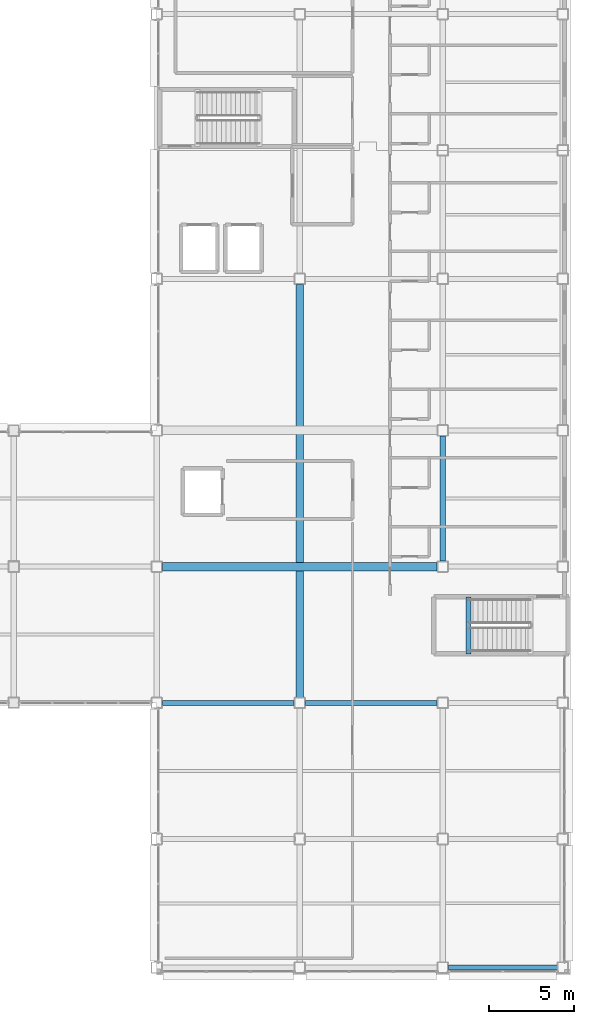
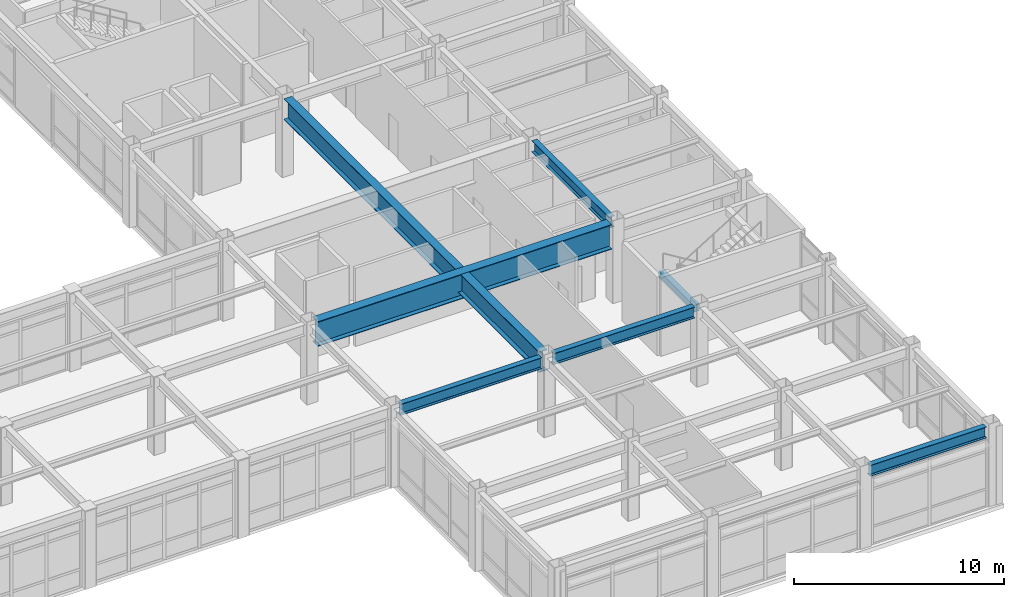
# One storey, part 52 of 93: 7 beams.
"""IFC4 building model written with IfcOpenShell, lengths in metres."""

from ifc_helpers import new_model, si_unit, direction, frame, origin, origin_2d, place, context, subcontext, project, spatial, rectangle, i_section, extrude, material, material_profile, profile_set, type_object, element, save


model = new_model("IFC4")

# Units and contexts
model_context = context("Model", 3, precision=1e-05, world=origin(), true_north=direction((0.0, 1.0)))
body_context = subcontext(model_context, "Body", "Model", "MODEL_VIEW")
ifc_project = project(units=[si_unit("LENGTHUNIT", "METRE"), si_unit("AREAUNIT", "SQUARE_METRE"), si_unit("VOLUMEUNIT", "CUBIC_METRE"), si_unit("PLANEANGLEUNIT", "RADIAN"), si_unit("MASSUNIT", "GRAM", prefix="KILO")], contexts=[model_context])

# Site, building, storey
site_placement = place(None, origin())
site = spatial("IfcSite", under=ifc_project, at=site_placement, CompositionType="ELEMENT")
building_placement = place(site_placement, origin())
building = spatial("IfcBuilding", under=site, at=building_placement, Name="Kazehara Bluff Congress Hotel", CompositionType="ELEMENT")
storey_placement = place(building_placement, frame((0.0, 0.0, 15.0)))
storey = spatial("IfcBuildingStorey", under=building, at=storey_placement, Name="L03", CompositionType="ELEMENT", Elevation=15.0)

# Beams
ifc_material_1 = material(Name="Steel SN490B", Category="steel")
ifc_material_profile_1 = material_profile(ifc_material_1, i_section(OverallWidth=0.300048828125, OverallDepth=0.64990234375, WebThickness=0.011962890625, FlangeThickness=0.02001953125, FilletRadius=0.012939453125, at=origin_2d()))
ifc_profile_set_1 = profile_set([ifc_material_profile_1], Name="Steel SN490B")
beam_type_1 = type_object("IfcBeamType", Name="TP-G-03", PredefinedType="BEAM", material=ifc_profile_set_1)
beam_1_placement = place(storey_placement, frame((160.5, 24.324951171875, 4.235107421875), z_axis=(0.0, 1.0, 0.0), x_axis=(-1.0, 0.0, 0.0)))
element("IfcBeam", 1, at=beam_1_placement, inside=storey, type_object=beam_type_1, Name="L03 girder G-03 131", PredefinedType="BEAM", context=body_context, shape_type="SweptSolid", body=[
    extrude(i_section(OverallWidth=0.300048828125, OverallDepth=0.64990234375, WebThickness=0.011962890625, FlangeThickness=0.02001953125, FilletRadius=0.012939453125, at=origin_2d()), origin(), (0.0, 0.0, 1.0), 7.35009765625),
])
beam_2_placement = place(storey_placement, frame((160.824951171875, 0.449951171875, 4.235107421875), z_axis=(1.0, 0.0, 0.0), x_axis=(0.0, 1.0, 0.0)))
element("IfcBeam", 2, at=beam_2_placement, inside=storey, type_object=beam_type_1, Name="L03 girder G-03 153", PredefinedType="BEAM", context=body_context, shape_type="SweptSolid", body=[
    extrude(i_section(OverallWidth=0.300048828125, OverallDepth=0.64990234375, WebThickness=0.011962890625, FlangeThickness=0.02001953125, FilletRadius=0.012939453125, at=origin_2d()), origin(), (0.0, 0.0, 1.0), 6.400146484375),
])
for number, where, z_axis, x_axis, name in (
    (3, (144.02490234375, 16.0, 4.235107421875), (1.0, 0.0, 0.0), (0.0, 1.0, 0.0), "L03 girder G-03 161"),
    (4, (152.425048828125, 16.0, 4.235107421875), (1.0, 0.0, 0.0), (0.0, 1.0, 0.0), "L03 girder G-03 162"),
):
    element("IfcBeam", number, at=place(storey_placement, frame(where, z_axis=z_axis, x_axis=x_axis)), inside=storey, type_object=beam_type_1, Name=name, PredefinedType="BEAM", context=body_context, shape_type="SweptSolid", body=[
        extrude(i_section(OverallWidth=0.300048828125, OverallDepth=0.64990234375, WebThickness=0.011962890625, FlangeThickness=0.02001953125, FilletRadius=0.012939453125, at=origin_2d()), origin(), (0.0, 0.0, 1.0), 7.75),
    ])
ifc_material_2 = material(Name="Steel SN490B", Category="steel")
ifc_material_profile_2 = material_profile(ifc_material_2, i_section(OverallWidth=0.449951171875, OverallDepth=1.199951171875, WebThickness=0.02001953125, FlangeThickness=0.031982421875, at=origin_2d()))
ifc_profile_set_2 = profile_set([ifc_material_profile_2], Name="Steel SN490B")
beam_type_2 = type_object("IfcBeamType", Name="TP-G-10", PredefinedType="BEAM", material=ifc_profile_set_2)
beam_3_placement = place(storey_placement, frame((152.10009765625, 16.324951171875, 3.9599609375), z_axis=(0.0, 1.0, 0.0), x_axis=(-1.0, 0.0, 0.0)))
element("IfcBeam", 5, at=beam_3_placement, inside=storey, type_object=beam_type_2, Name="L03 girder G-10 124", PredefinedType="BEAM", context=body_context, shape_type="SweptSolid", body=[
    extrude(i_section(OverallWidth=0.449951171875, OverallDepth=1.199951171875, WebThickness=0.02001953125, FlangeThickness=0.031982421875, at=origin_2d()), origin(), (0.0, 0.0, 1.0), 24.25),
])
ifc_material_3 = material(Name="Concrete C40/50", Category="concrete")
ifc_material_profile_3 = material_profile(ifc_material_3, rectangle(XDim=0.300048828125, YDim=0.39990234375, at=origin_2d()))
ifc_profile_set_3 = profile_set([ifc_material_profile_3], Name="Concrete C40/50")
beam_type_3 = type_object("IfcBeamType", Name="TP-LN-02", PredefinedType="LINTEL", material=ifc_profile_set_3)
beam_4_placement = place(storey_placement, frame((162.010009765625, 22.22509765625, 2.02001953125), z_axis=(0.0, -1.0, 0.0), x_axis=(1.0, 0.0, 0.0)))
element("IfcBeam", 6, at=beam_4_placement, inside=storey, type_object=beam_type_3, Name="L03 ST-10 half-landing support beam 1", PredefinedType="LINTEL", context=body_context, shape_type="SweptSolid", body=[
    extrude(rectangle(XDim=0.300048828125, YDim=0.39990234375, at=origin_2d()), origin(), (0.0, 0.0, 1.0), 3.35009765625),
])
ifc_material_4 = material(Name="Steel SN490B", Category="steel")
ifc_material_profile_4 = material_profile(ifc_material_4, i_section(OverallWidth=0.5, OverallDepth=1.43994140625, WebThickness=0.02197265625, FlangeThickness=0.035888671875, at=origin_2d()))
ifc_profile_set_4 = profile_set([ifc_material_profile_4], Name="Steel SN490B")
beam_type_4 = type_object("IfcBeamType", Name="TP-TG-01", PredefinedType="USERDEFINED", material=ifc_profile_set_4)
beam_5_placement = place(storey_placement, frame((144.02490234375, 24.0, 3.840087890625), z_axis=(1.0, 0.0, 0.0), x_axis=(0.0, 1.0, 0.0)))
element("IfcBeam", 7, at=beam_5_placement, inside=storey, type_object=beam_type_4, Name="L03 transfer girder TG-01 168", ObjectType="GIRDER", PredefinedType="USERDEFINED", context=body_context, shape_type="SweptSolid", body=[
    extrude(i_section(OverallWidth=0.5, OverallDepth=1.43994140625, WebThickness=0.02197265625, FlangeThickness=0.035888671875, at=origin_2d()), origin(), (0.0, 0.0, 1.0), 16.150146484375),
])

save(model, "model.ifc")
